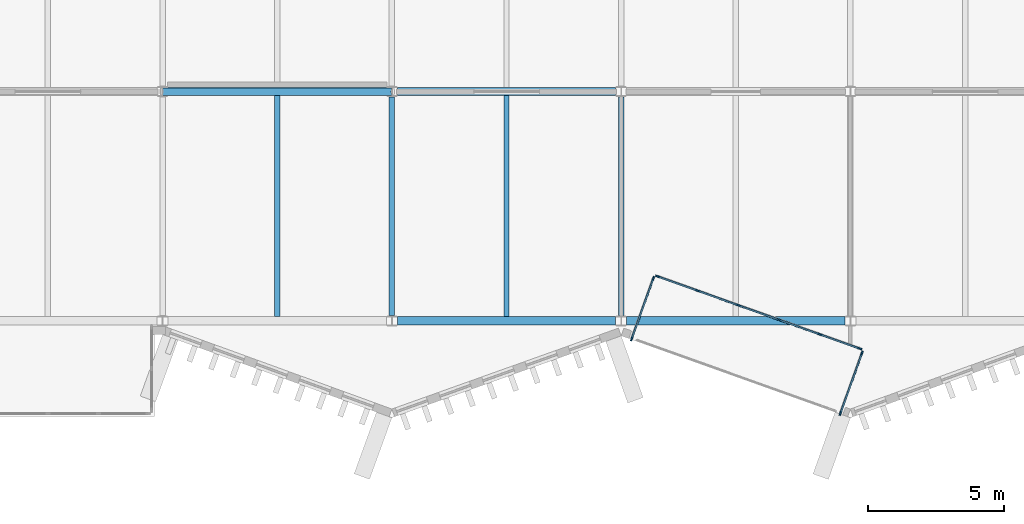
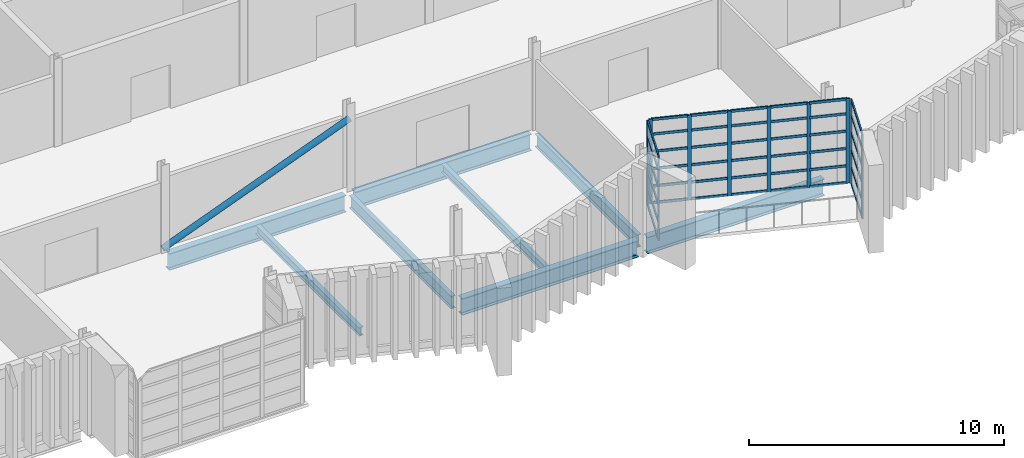
# One storey, part 27 of 96: 53 members, 8 beams, 3 elements without a shape of their own.
"""IFC4 building model written with IfcOpenShell, lengths in metres."""

from ifc_helpers import new_model, si_unit, direction, frame, origin, origin_2d, place, context, subcontext, project, spatial, rectangle, hollow_circle, i_section, extrude, material, layer, layer_set, material_profile, profile_set, type_object, element, aggregate, save


model = new_model("IFC4")

# Units and contexts
model_context = context("Model", 3, precision=1e-05, world=origin(), true_north=direction((0.0, 1.0)))
body_context = subcontext(model_context, "Body", "Model", "MODEL_VIEW")
ifc_project = project(units=[si_unit("LENGTHUNIT", "METRE"), si_unit("AREAUNIT", "SQUARE_METRE"), si_unit("VOLUMEUNIT", "CUBIC_METRE"), si_unit("PLANEANGLEUNIT", "RADIAN"), si_unit("MASSUNIT", "GRAM", prefix="KILO")], contexts=[model_context])

# Site, building, storey
site_placement = place(None, origin())
site = spatial("IfcSite", under=ifc_project, at=site_placement, CompositionType="ELEMENT")
building_placement = place(site_placement, origin())
building = spatial("IfcBuilding", under=site, at=building_placement, Name="Cresset Court Congress Hotel", CompositionType="ELEMENT")
storey_placement = place(building_placement, frame((0.0, 0.0, 6.0)))
storey = spatial("IfcBuildingStorey", under=building, at=storey_placement, Name="L01", CompositionType="ELEMENT", Elevation=6.0)

# Curtain wall, members
ifc_material_1 = material(Name="Aluminium frame with double glazing", Category="aluminium")
ifc_layer = layer(ifc_material_1, 0.199951171875)
ifc_layer_set = layer_set([ifc_layer], Name="Glazed box curtain wall 1680 module")
curtain_wall_type = type_object("IfcCurtainWallType", Name="Glazed box curtain wall 1680 module", PredefinedType="NOTDEFINED", material=ifc_layer_set)
curtain_wall_1_placement = place(storey_placement, origin())
curtain_wall_1 = element("IfcCurtainWall", 1, at=curtain_wall_1_placement, inside=storey, type_object=curtain_wall_type, Name="Glazed box S0115 front", PredefinedType="NOTDEFINED")
ifc_material_2 = material(Name="Aluminium", Category="aluminium")
ifc_material_profile_1 = material_profile(ifc_material_2, rectangle(XDim=0.06005859375, YDim=0.159912109375, at=origin_2d()), Name="Box mullion 60x160")
ifc_profile_set_1 = profile_set([ifc_material_profile_1], Name="Aluminium")
member_type_1 = type_object("IfcMemberType", Name="Box mullion 60x160", PredefinedType="MULLION", material=ifc_profile_set_1)
member_1_placement = place(storey_placement, frame((118.93994140625, 1.6259765625, 0.0), z_axis=(0.0, 0.0, 1.0), x_axis=(0.336336396981, 0.941741911601, 0.0)))
member_1 = element("IfcMember", 2, at=member_1_placement, type_object=member_type_1, Name="B-X1 mullion 1", PredefinedType="MULLION", context=body_context, shape_type="SweptSolid", body=[
    extrude(rectangle(XDim=0.06005859375, YDim=0.159912109375, at=origin_2d()), origin(), (0.0, 0.0, 1.0), 4.050048828125),
])
member_2_placement = place(storey_placement, frame((120.4033203125, 1.103515625, 0.0), z_axis=(0.0, 0.0, 1.0), x_axis=(0.336336396981, 0.941741911601, 0.0)))
member_2 = element("IfcMember", 3, at=member_2_placement, type_object=member_type_1, Name="B-X1 mullion 2", PredefinedType="MULLION", context=body_context, shape_type="SweptSolid", body=[
    extrude(rectangle(XDim=0.06005859375, YDim=0.159912109375, at=origin_2d()), origin(), (0.0, 0.0, 1.0), 4.050048828125),
])
member_3_placement = place(storey_placement, frame((121.89501953125, 0.57080078125, 0.0), z_axis=(0.0, 0.0, 1.0), x_axis=(0.336336396981, 0.941741911601, 0.0)))
member_3 = element("IfcMember", 4, at=member_3_placement, type_object=member_type_1, Name="B-X1 mullion 3", PredefinedType="MULLION", context=body_context, shape_type="SweptSolid", body=[
    extrude(rectangle(XDim=0.06005859375, YDim=0.159912109375, at=origin_2d()), origin(), (0.0, 0.0, 1.0), 4.050048828125),
])
member_4_placement = place(storey_placement, frame((123.38671875, 0.0380859375, 0.0), z_axis=(0.0, 0.0, 1.0), x_axis=(0.336336396981, 0.941741911601, 0.0)))
member_4 = element("IfcMember", 5, at=member_4_placement, type_object=member_type_1, Name="B-X1 mullion 4", PredefinedType="MULLION", context=body_context, shape_type="SweptSolid", body=[
    extrude(rectangle(XDim=0.06005859375, YDim=0.159912109375, at=origin_2d()), origin(), (0.0, 0.0, 1.0), 4.050048828125),
])
member_5_placement = place(storey_placement, frame((124.87841796875, -0.49462890625, 0.0), z_axis=(0.0, 0.0, 1.0), x_axis=(0.336336396981, 0.941741911601, 0.0)))
member_5 = element("IfcMember", 6, at=member_5_placement, type_object=member_type_1, Name="B-X1 mullion 5", PredefinedType="MULLION", context=body_context, shape_type="SweptSolid", body=[
    extrude(rectangle(XDim=0.06005859375, YDim=0.159912109375, at=origin_2d()), origin(), (0.0, 0.0, 1.0), 4.050048828125),
])
member_6_placement = place(storey_placement, frame((126.341796875, -1.017333984375, 0.0), z_axis=(0.0, 0.0, 1.0), x_axis=(0.336336396981, 0.941741911601, 0.0)))
member_6 = element("IfcMember", 7, at=member_6_placement, type_object=member_type_1, Name="B-X1 mullion 6", PredefinedType="MULLION", context=body_context, shape_type="SweptSolid", body=[
    extrude(rectangle(XDim=0.06005859375, YDim=0.159912109375, at=origin_2d()), origin(), (0.0, 0.0, 1.0), 4.050048828125),
])

curtain_wall_2_placement = place(storey_placement, origin())
curtain_wall_2 = element("IfcCurtainWall", 8, at=curtain_wall_2_placement, inside=storey, type_object=curtain_wall_type, Name="Glazed box S0115 side", PredefinedType="NOTDEFINED")
member_7_placement = place(storey_placement, frame((117.98681640625, -0.65625, 0.0), z_axis=(0.0, 0.0, 1.0), x_axis=(-0.941741911707, 0.336336396685, 0.0)))
member_7 = element("IfcMember", 9, at=member_7_placement, type_object=member_type_1, Name="B-X1 mullion 1", PredefinedType="MULLION", context=body_context, shape_type="SweptSolid", body=[
    extrude(rectangle(XDim=0.06005859375, YDim=0.159912109375, at=origin_2d()), origin(), (0.0, 0.0, 1.0), 4.050048828125),
])
member_8_placement = place(storey_placement, frame((118.77392578125, 1.54736328125, 0.0), z_axis=(0.0, 0.0, 1.0), x_axis=(-0.941741911707, 0.336336396685, 0.0)))
member_8 = element("IfcMember", 10, at=member_8_placement, type_object=member_type_1, Name="B-X1 mullion 2", PredefinedType="MULLION", context=body_context, shape_type="SweptSolid", body=[
    extrude(rectangle(XDim=0.06005859375, YDim=0.159912109375, at=origin_2d()), origin(), (0.0, 0.0, 1.0), 4.050048828125),
])

curtain_wall_3_placement = place(storey_placement, origin())
curtain_wall_3 = element("IfcCurtainWall", 11, at=curtain_wall_3_placement, inside=storey, type_object=curtain_wall_type, Name="Glazed box S0115 side", PredefinedType="NOTDEFINED")
member_9_placement = place(storey_placement, frame((125.63330078125, -3.38720703125, 0.0), z_axis=(0.0, 0.0, 1.0), x_axis=(-0.941741911578, 0.336336397047, 0.0)))
member_9 = element("IfcMember", 12, at=member_9_placement, type_object=member_type_1, Name="B-X1 mullion 1", PredefinedType="MULLION", context=body_context, shape_type="SweptSolid", body=[
    extrude(rectangle(XDim=0.06005859375, YDim=0.159912109375, at=origin_2d()), origin(), (0.0, 0.0, 1.0), 4.050048828125),
])
member_10_placement = place(storey_placement, frame((126.42041015625, -1.18359375, 0.0), z_axis=(0.0, 0.0, 1.0), x_axis=(-0.941741911578, 0.336336397047, 0.0)))
member_10 = element("IfcMember", 13, at=member_10_placement, type_object=member_type_1, Name="B-X1 mullion 2", PredefinedType="MULLION", context=body_context, shape_type="SweptSolid", body=[
    extrude(rectangle(XDim=0.06005859375, YDim=0.159912109375, at=origin_2d()), origin(), (0.0, 0.0, 1.0), 4.050048828125),
])

# Member
ifc_material_3 = material(Name="Aluminium", Category="aluminium")
ifc_material_profile_2 = material_profile(ifc_material_3, rectangle(XDim=0.06005859375, YDim=0.1201171875, at=origin_2d()), Name="Box transom 60x120")
ifc_profile_set_2 = profile_set([ifc_material_profile_2], Name="Aluminium")
member_type_2 = type_object("IfcMemberType", Name="Box transom 60x120", PredefinedType="USERDEFINED", material=ifc_profile_set_2)
member_11_placement = place(storey_placement, frame((118.96826171875, 1.615966796875, 0.030029296875), z_axis=(0.941734515945, -0.336357104098, 0.0), x_axis=(0.336357104098, 0.941734515945, 0.0)))
member_11 = element("IfcMember", 14, at=member_11_placement, type_object=member_type_2, Name="B-X1 transom 1.1", ObjectType="TRANSOM", PredefinedType="USERDEFINED", context=body_context, shape_type="SweptSolid", body=[
    extrude(rectangle(XDim=0.06005859375, YDim=0.1201171875, at=origin_2d()), origin(), (0.0, 0.0, 1.0), 1.49365234375),
])

member_12_placement = place(storey_placement, frame((118.96826171875, 1.615966796875, 0.830078125), z_axis=(0.941734515945, -0.336357104098, 0.0), x_axis=(0.336357104098, 0.941734515945, 0.0)))
member_12 = element("IfcMember", 15, at=member_12_placement, type_object=member_type_2, Name="B-X1 transom 1.2", ObjectType="TRANSOM", PredefinedType="USERDEFINED", context=body_context, shape_type="SweptSolid", body=[
    extrude(rectangle(XDim=0.06005859375, YDim=0.1201171875, at=origin_2d()), origin(), (0.0, 0.0, 1.0), 1.49365234375),
])

member_13_placement = place(storey_placement, frame((118.96826171875, 1.615966796875, 1.659912109375), z_axis=(0.941734515945, -0.336357104098, 0.0), x_axis=(0.336357104098, 0.941734515945, 0.0)))
member_13 = element("IfcMember", 16, at=member_13_placement, type_object=member_type_2, Name="B-X1 transom 1.3", ObjectType="TRANSOM", PredefinedType="USERDEFINED", context=body_context, shape_type="SweptSolid", body=[
    extrude(rectangle(XDim=0.06005859375, YDim=0.1201171875, at=origin_2d()), origin(), (0.0, 0.0, 1.0), 1.49365234375),
])

member_14_placement = place(storey_placement, frame((118.96826171875, 1.615966796875, 2.489990234375), z_axis=(0.941734515945, -0.336357104098, 0.0), x_axis=(0.336357104098, 0.941734515945, 0.0)))
member_14 = element("IfcMember", 17, at=member_14_placement, type_object=member_type_2, Name="B-X1 transom 1.4", ObjectType="TRANSOM", PredefinedType="USERDEFINED", context=body_context, shape_type="SweptSolid", body=[
    extrude(rectangle(XDim=0.06005859375, YDim=0.1201171875, at=origin_2d()), origin(), (0.0, 0.0, 1.0), 1.49365234375),
])

member_15_placement = place(storey_placement, frame((118.96826171875, 1.615966796875, 3.320068359375), z_axis=(0.941734515945, -0.336357104098, 0.0), x_axis=(0.336357104098, 0.941734515945, 0.0)))
member_15 = element("IfcMember", 18, at=member_15_placement, type_object=member_type_2, Name="B-X1 transom 1.5", ObjectType="TRANSOM", PredefinedType="USERDEFINED", context=body_context, shape_type="SweptSolid", body=[
    extrude(rectangle(XDim=0.06005859375, YDim=0.1201171875, at=origin_2d()), origin(), (0.0, 0.0, 1.0), 1.49365234375),
])

member_16_placement = place(storey_placement, frame((118.96826171875, 1.615966796875, 4.02001953125), z_axis=(0.941734515945, -0.336357104098, 0.0), x_axis=(0.336357104098, 0.941734515945, 0.0)))
member_16 = element("IfcMember", 19, at=member_16_placement, type_object=member_type_2, Name="B-X1 transom 1.6", ObjectType="TRANSOM", PredefinedType="USERDEFINED", context=body_context, shape_type="SweptSolid", body=[
    extrude(rectangle(XDim=0.06005859375, YDim=0.1201171875, at=origin_2d()), origin(), (0.0, 0.0, 1.0), 1.49365234375),
])

member_17_placement = place(storey_placement, frame((120.431640625, 1.09326171875, 0.030029296875), z_axis=(0.941756410009, -0.336295798675, 0.0), x_axis=(0.336295798675, 0.941756410009, 0.0)))
member_17 = element("IfcMember", 20, at=member_17_placement, type_object=member_type_2, Name="B-X1 transom 2.1", ObjectType="TRANSOM", PredefinedType="USERDEFINED", context=body_context, shape_type="SweptSolid", body=[
    extrude(rectangle(XDim=0.06005859375, YDim=0.1201171875, at=origin_2d()), origin(), (0.0, 0.0, 1.0), 1.52392578125),
])

member_18_placement = place(storey_placement, frame((120.431640625, 1.09326171875, 0.830078125), z_axis=(0.941756410009, -0.336295798675, 0.0), x_axis=(0.336295798675, 0.941756410009, 0.0)))
member_18 = element("IfcMember", 21, at=member_18_placement, type_object=member_type_2, Name="B-X1 transom 2.2", ObjectType="TRANSOM", PredefinedType="USERDEFINED", context=body_context, shape_type="SweptSolid", body=[
    extrude(rectangle(XDim=0.06005859375, YDim=0.1201171875, at=origin_2d()), origin(), (0.0, 0.0, 1.0), 1.52392578125),
])

member_19_placement = place(storey_placement, frame((120.431640625, 1.09326171875, 1.659912109375), z_axis=(0.941756410009, -0.336295798675, 0.0), x_axis=(0.336295798675, 0.941756410009, 0.0)))
member_19 = element("IfcMember", 22, at=member_19_placement, type_object=member_type_2, Name="B-X1 transom 2.3", ObjectType="TRANSOM", PredefinedType="USERDEFINED", context=body_context, shape_type="SweptSolid", body=[
    extrude(rectangle(XDim=0.06005859375, YDim=0.1201171875, at=origin_2d()), origin(), (0.0, 0.0, 1.0), 1.52392578125),
])

member_20_placement = place(storey_placement, frame((120.431640625, 1.09326171875, 2.489990234375), z_axis=(0.941756410009, -0.336295798675, 0.0), x_axis=(0.336295798675, 0.941756410009, 0.0)))
member_20 = element("IfcMember", 23, at=member_20_placement, type_object=member_type_2, Name="B-X1 transom 2.4", ObjectType="TRANSOM", PredefinedType="USERDEFINED", context=body_context, shape_type="SweptSolid", body=[
    extrude(rectangle(XDim=0.06005859375, YDim=0.1201171875, at=origin_2d()), origin(), (0.0, 0.0, 1.0), 1.52392578125),
])

member_21_placement = place(storey_placement, frame((120.431640625, 1.09326171875, 3.320068359375), z_axis=(0.941756410009, -0.336295798675, 0.0), x_axis=(0.336295798675, 0.941756410009, 0.0)))
member_21 = element("IfcMember", 24, at=member_21_placement, type_object=member_type_2, Name="B-X1 transom 2.5", ObjectType="TRANSOM", PredefinedType="USERDEFINED", context=body_context, shape_type="SweptSolid", body=[
    extrude(rectangle(XDim=0.06005859375, YDim=0.1201171875, at=origin_2d()), origin(), (0.0, 0.0, 1.0), 1.52392578125),
])

member_22_placement = place(storey_placement, frame((120.431640625, 1.09326171875, 4.02001953125), z_axis=(0.941756410009, -0.336295798675, 0.0), x_axis=(0.336295798675, 0.941756410009, 0.0)))
member_22 = element("IfcMember", 25, at=member_22_placement, type_object=member_type_2, Name="B-X1 transom 2.6", ObjectType="TRANSOM", PredefinedType="USERDEFINED", context=body_context, shape_type="SweptSolid", body=[
    extrude(rectangle(XDim=0.06005859375, YDim=0.1201171875, at=origin_2d()), origin(), (0.0, 0.0, 1.0), 1.52392578125),
])

member_23_placement = place(storey_placement, frame((121.92333984375, 0.560546875, 0.030029296875), z_axis=(0.941756410009, -0.336295798675, 0.0), x_axis=(0.336295798675, 0.941756410009, 0.0)))
member_23 = element("IfcMember", 26, at=member_23_placement, type_object=member_type_2, Name="B-X1 transom 3.1", ObjectType="TRANSOM", PredefinedType="USERDEFINED", context=body_context, shape_type="SweptSolid", body=[
    extrude(rectangle(XDim=0.06005859375, YDim=0.1201171875, at=origin_2d()), origin(), (0.0, 0.0, 1.0), 1.52392578125),
])

member_24_placement = place(storey_placement, frame((121.92333984375, 0.560546875, 0.830078125), z_axis=(0.941756410009, -0.336295798675, 0.0), x_axis=(0.336295798675, 0.941756410009, 0.0)))
member_24 = element("IfcMember", 27, at=member_24_placement, type_object=member_type_2, Name="B-X1 transom 3.2", ObjectType="TRANSOM", PredefinedType="USERDEFINED", context=body_context, shape_type="SweptSolid", body=[
    extrude(rectangle(XDim=0.06005859375, YDim=0.1201171875, at=origin_2d()), origin(), (0.0, 0.0, 1.0), 1.52392578125),
])

member_25_placement = place(storey_placement, frame((121.92333984375, 0.560546875, 1.659912109375), z_axis=(0.941756410009, -0.336295798675, 0.0), x_axis=(0.336295798675, 0.941756410009, 0.0)))
member_25 = element("IfcMember", 28, at=member_25_placement, type_object=member_type_2, Name="B-X1 transom 3.3", ObjectType="TRANSOM", PredefinedType="USERDEFINED", context=body_context, shape_type="SweptSolid", body=[
    extrude(rectangle(XDim=0.06005859375, YDim=0.1201171875, at=origin_2d()), origin(), (0.0, 0.0, 1.0), 1.52392578125),
])

member_26_placement = place(storey_placement, frame((121.92333984375, 0.560546875, 2.489990234375), z_axis=(0.941756410009, -0.336295798675, 0.0), x_axis=(0.336295798675, 0.941756410009, 0.0)))
member_26 = element("IfcMember", 29, at=member_26_placement, type_object=member_type_2, Name="B-X1 transom 3.4", ObjectType="TRANSOM", PredefinedType="USERDEFINED", context=body_context, shape_type="SweptSolid", body=[
    extrude(rectangle(XDim=0.06005859375, YDim=0.1201171875, at=origin_2d()), origin(), (0.0, 0.0, 1.0), 1.52392578125),
])

member_27_placement = place(storey_placement, frame((121.92333984375, 0.560546875, 3.320068359375), z_axis=(0.941756410009, -0.336295798675, 0.0), x_axis=(0.336295798675, 0.941756410009, 0.0)))
member_27 = element("IfcMember", 30, at=member_27_placement, type_object=member_type_2, Name="B-X1 transom 3.5", ObjectType="TRANSOM", PredefinedType="USERDEFINED", context=body_context, shape_type="SweptSolid", body=[
    extrude(rectangle(XDim=0.06005859375, YDim=0.1201171875, at=origin_2d()), origin(), (0.0, 0.0, 1.0), 1.52392578125),
])

member_28_placement = place(storey_placement, frame((121.92333984375, 0.560546875, 4.02001953125), z_axis=(0.941756410009, -0.336295798675, 0.0), x_axis=(0.336295798675, 0.941756410009, 0.0)))
member_28 = element("IfcMember", 31, at=member_28_placement, type_object=member_type_2, Name="B-X1 transom 3.6", ObjectType="TRANSOM", PredefinedType="USERDEFINED", context=body_context, shape_type="SweptSolid", body=[
    extrude(rectangle(XDim=0.06005859375, YDim=0.1201171875, at=origin_2d()), origin(), (0.0, 0.0, 1.0), 1.52392578125),
])

member_29_placement = place(storey_placement, frame((123.4150390625, 0.02783203125, 0.030029296875), z_axis=(0.941756410009, -0.336295798675, 0.0), x_axis=(0.336295798675, 0.941756410009, 0.0)))
member_29 = element("IfcMember", 32, at=member_29_placement, type_object=member_type_2, Name="B-X1 transom 4.1", ObjectType="TRANSOM", PredefinedType="USERDEFINED", context=body_context, shape_type="SweptSolid", body=[
    extrude(rectangle(XDim=0.06005859375, YDim=0.1201171875, at=origin_2d()), origin(), (0.0, 0.0, 1.0), 1.52392578125),
])

member_30_placement = place(storey_placement, frame((123.4150390625, 0.02783203125, 0.830078125), z_axis=(0.941756410009, -0.336295798675, 0.0), x_axis=(0.336295798675, 0.941756410009, 0.0)))
member_30 = element("IfcMember", 33, at=member_30_placement, type_object=member_type_2, Name="B-X1 transom 4.2", ObjectType="TRANSOM", PredefinedType="USERDEFINED", context=body_context, shape_type="SweptSolid", body=[
    extrude(rectangle(XDim=0.06005859375, YDim=0.1201171875, at=origin_2d()), origin(), (0.0, 0.0, 1.0), 1.52392578125),
])

member_31_placement = place(storey_placement, frame((123.4150390625, 0.02783203125, 1.659912109375), z_axis=(0.941756410009, -0.336295798675, 0.0), x_axis=(0.336295798675, 0.941756410009, 0.0)))
member_31 = element("IfcMember", 34, at=member_31_placement, type_object=member_type_2, Name="B-X1 transom 4.3", ObjectType="TRANSOM", PredefinedType="USERDEFINED", context=body_context, shape_type="SweptSolid", body=[
    extrude(rectangle(XDim=0.06005859375, YDim=0.1201171875, at=origin_2d()), origin(), (0.0, 0.0, 1.0), 1.52392578125),
])

member_32_placement = place(storey_placement, frame((123.4150390625, 0.02783203125, 2.489990234375), z_axis=(0.941756410009, -0.336295798675, 0.0), x_axis=(0.336295798675, 0.941756410009, 0.0)))
member_32 = element("IfcMember", 35, at=member_32_placement, type_object=member_type_2, Name="B-X1 transom 4.4", ObjectType="TRANSOM", PredefinedType="USERDEFINED", context=body_context, shape_type="SweptSolid", body=[
    extrude(rectangle(XDim=0.06005859375, YDim=0.1201171875, at=origin_2d()), origin(), (0.0, 0.0, 1.0), 1.52392578125),
])

member_33_placement = place(storey_placement, frame((123.4150390625, 0.02783203125, 3.320068359375), z_axis=(0.941756410009, -0.336295798675, 0.0), x_axis=(0.336295798675, 0.941756410009, 0.0)))
member_33 = element("IfcMember", 36, at=member_33_placement, type_object=member_type_2, Name="B-X1 transom 4.5", ObjectType="TRANSOM", PredefinedType="USERDEFINED", context=body_context, shape_type="SweptSolid", body=[
    extrude(rectangle(XDim=0.06005859375, YDim=0.1201171875, at=origin_2d()), origin(), (0.0, 0.0, 1.0), 1.52392578125),
])

member_34_placement = place(storey_placement, frame((123.4150390625, 0.02783203125, 4.02001953125), z_axis=(0.941756410009, -0.336295798675, 0.0), x_axis=(0.336295798675, 0.941756410009, 0.0)))
member_34 = element("IfcMember", 37, at=member_34_placement, type_object=member_type_2, Name="B-X1 transom 4.6", ObjectType="TRANSOM", PredefinedType="USERDEFINED", context=body_context, shape_type="SweptSolid", body=[
    extrude(rectangle(XDim=0.06005859375, YDim=0.1201171875, at=origin_2d()), origin(), (0.0, 0.0, 1.0), 1.52392578125),
])

member_35_placement = place(storey_placement, frame((124.906494140625, -0.5048828125, 0.030029296875), z_axis=(0.941753002509, -0.336305340823, 0.0), x_axis=(0.336305340823, 0.941753002509, 0.0)))
member_35 = element("IfcMember", 38, at=member_35_placement, type_object=member_type_2, Name="B-X1 transom 5.1", ObjectType="TRANSOM", PredefinedType="USERDEFINED", context=body_context, shape_type="SweptSolid", body=[
    extrude(rectangle(XDim=0.06005859375, YDim=0.1201171875, at=origin_2d()), origin(), (0.0, 0.0, 1.0), 1.493896484375),
])

member_36_placement = place(storey_placement, frame((124.906494140625, -0.5048828125, 0.830078125), z_axis=(0.941753002509, -0.336305340823, 0.0), x_axis=(0.336305340823, 0.941753002509, 0.0)))
member_36 = element("IfcMember", 39, at=member_36_placement, type_object=member_type_2, Name="B-X1 transom 5.2", ObjectType="TRANSOM", PredefinedType="USERDEFINED", context=body_context, shape_type="SweptSolid", body=[
    extrude(rectangle(XDim=0.06005859375, YDim=0.1201171875, at=origin_2d()), origin(), (0.0, 0.0, 1.0), 1.493896484375),
])

member_37_placement = place(storey_placement, frame((124.906494140625, -0.5048828125, 1.659912109375), z_axis=(0.941753002509, -0.336305340823, 0.0), x_axis=(0.336305340823, 0.941753002509, 0.0)))
member_37 = element("IfcMember", 40, at=member_37_placement, type_object=member_type_2, Name="B-X1 transom 5.3", ObjectType="TRANSOM", PredefinedType="USERDEFINED", context=body_context, shape_type="SweptSolid", body=[
    extrude(rectangle(XDim=0.06005859375, YDim=0.1201171875, at=origin_2d()), origin(), (0.0, 0.0, 1.0), 1.493896484375),
])

member_38_placement = place(storey_placement, frame((124.906494140625, -0.5048828125, 2.489990234375), z_axis=(0.941753002509, -0.336305340823, 0.0), x_axis=(0.336305340823, 0.941753002509, 0.0)))
member_38 = element("IfcMember", 41, at=member_38_placement, type_object=member_type_2, Name="B-X1 transom 5.4", ObjectType="TRANSOM", PredefinedType="USERDEFINED", context=body_context, shape_type="SweptSolid", body=[
    extrude(rectangle(XDim=0.06005859375, YDim=0.1201171875, at=origin_2d()), origin(), (0.0, 0.0, 1.0), 1.493896484375),
])

member_39_placement = place(storey_placement, frame((124.906494140625, -0.5048828125, 3.320068359375), z_axis=(0.941753002509, -0.336305340823, 0.0), x_axis=(0.336305340823, 0.941753002509, 0.0)))
member_39 = element("IfcMember", 42, at=member_39_placement, type_object=member_type_2, Name="B-X1 transom 5.5", ObjectType="TRANSOM", PredefinedType="USERDEFINED", context=body_context, shape_type="SweptSolid", body=[
    extrude(rectangle(XDim=0.06005859375, YDim=0.1201171875, at=origin_2d()), origin(), (0.0, 0.0, 1.0), 1.493896484375),
])

member_40_placement = place(storey_placement, frame((124.906494140625, -0.5048828125, 4.02001953125), z_axis=(0.941753002509, -0.336305340823, 0.0), x_axis=(0.336305340823, 0.941753002509, 0.0)))
member_40 = element("IfcMember", 43, at=member_40_placement, type_object=member_type_2, Name="B-X1 transom 5.6", ObjectType="TRANSOM", PredefinedType="USERDEFINED", context=body_context, shape_type="SweptSolid", body=[
    extrude(rectangle(XDim=0.06005859375, YDim=0.1201171875, at=origin_2d()), origin(), (0.0, 0.0, 1.0), 1.493896484375),
])

aggregate(curtain_wall_1, [member_1, member_2, member_3, member_4, member_5, member_6, member_11, member_12, member_13, member_14, member_15, member_16, member_17, member_18, member_19, member_20, member_21, member_22, member_23, member_24, member_25, member_26, member_27, member_28, member_29, member_30, member_31, member_32, member_33, member_34, member_35, member_36, member_37, member_38, member_39, member_40])

member_41_placement = place(storey_placement, frame((117.996826171875, -0.6279296875, 0.030029296875), z_axis=(0.336363532289, 0.941732219979, 0.0), x_axis=(-0.941732219979, 0.336363532289, 0.0)))
member_41 = element("IfcMember", 44, at=member_41_placement, type_object=member_type_2, Name="B-X1 transom 1.1", ObjectType="TRANSOM", PredefinedType="USERDEFINED", context=body_context, shape_type="SweptSolid", body=[
    extrude(rectangle(XDim=0.06005859375, YDim=0.1201171875, at=origin_2d()), origin(), (0.0, 0.0, 1.0), 2.27978515625),
])

member_42_placement = place(storey_placement, frame((117.996826171875, -0.6279296875, 0.830078125), z_axis=(0.336363532289, 0.941732219979, 0.0), x_axis=(-0.941732219979, 0.336363532289, 0.0)))
member_42 = element("IfcMember", 45, at=member_42_placement, type_object=member_type_2, Name="B-X1 transom 1.2", ObjectType="TRANSOM", PredefinedType="USERDEFINED", context=body_context, shape_type="SweptSolid", body=[
    extrude(rectangle(XDim=0.06005859375, YDim=0.1201171875, at=origin_2d()), origin(), (0.0, 0.0, 1.0), 2.27978515625),
])

member_43_placement = place(storey_placement, frame((117.996826171875, -0.6279296875, 1.659912109375), z_axis=(0.336363532289, 0.941732219979, 0.0), x_axis=(-0.941732219979, 0.336363532289, 0.0)))
member_43 = element("IfcMember", 46, at=member_43_placement, type_object=member_type_2, Name="B-X1 transom 1.3", ObjectType="TRANSOM", PredefinedType="USERDEFINED", context=body_context, shape_type="SweptSolid", body=[
    extrude(rectangle(XDim=0.06005859375, YDim=0.1201171875, at=origin_2d()), origin(), (0.0, 0.0, 1.0), 2.27978515625),
])

member_44_placement = place(storey_placement, frame((117.996826171875, -0.6279296875, 2.489990234375), z_axis=(0.336363532289, 0.941732219979, 0.0), x_axis=(-0.941732219979, 0.336363532289, 0.0)))
member_44 = element("IfcMember", 47, at=member_44_placement, type_object=member_type_2, Name="B-X1 transom 1.4", ObjectType="TRANSOM", PredefinedType="USERDEFINED", context=body_context, shape_type="SweptSolid", body=[
    extrude(rectangle(XDim=0.06005859375, YDim=0.1201171875, at=origin_2d()), origin(), (0.0, 0.0, 1.0), 2.27978515625),
])

member_45_placement = place(storey_placement, frame((117.996826171875, -0.6279296875, 3.320068359375), z_axis=(0.336363532289, 0.941732219979, 0.0), x_axis=(-0.941732219979, 0.336363532289, 0.0)))
member_45 = element("IfcMember", 48, at=member_45_placement, type_object=member_type_2, Name="B-X1 transom 1.5", ObjectType="TRANSOM", PredefinedType="USERDEFINED", context=body_context, shape_type="SweptSolid", body=[
    extrude(rectangle(XDim=0.06005859375, YDim=0.1201171875, at=origin_2d()), origin(), (0.0, 0.0, 1.0), 2.27978515625),
])

member_46_placement = place(storey_placement, frame((117.996826171875, -0.6279296875, 4.02001953125), z_axis=(0.336363532289, 0.941732219979, 0.0), x_axis=(-0.941732219979, 0.336363532289, 0.0)))
member_46 = element("IfcMember", 49, at=member_46_placement, type_object=member_type_2, Name="B-X1 transom 1.6", ObjectType="TRANSOM", PredefinedType="USERDEFINED", context=body_context, shape_type="SweptSolid", body=[
    extrude(rectangle(XDim=0.06005859375, YDim=0.1201171875, at=origin_2d()), origin(), (0.0, 0.0, 1.0), 2.27978515625),
])

aggregate(curtain_wall_2, [member_7, member_8, member_41, member_42, member_43, member_44, member_45, member_46])

member_47_placement = place(storey_placement, frame((125.6435546875, -3.35888671875, 0.030029296875), z_axis=(0.336329613816, 0.941744334132, 0.0), x_axis=(-0.941744334132, 0.336329613816, 0.0)))
member_47 = element("IfcMember", 50, at=member_47_placement, type_object=member_type_2, Name="B-X1 transom 1.1", ObjectType="TRANSOM", PredefinedType="USERDEFINED", context=body_context, shape_type="SweptSolid", body=[
    extrude(rectangle(XDim=0.06005859375, YDim=0.1201171875, at=origin_2d()), origin(), (0.0, 0.0, 1.0), 2.280029296875),
])

member_48_placement = place(storey_placement, frame((125.6435546875, -3.35888671875, 0.830078125), z_axis=(0.336329613816, 0.941744334132, 0.0), x_axis=(-0.941744334132, 0.336329613816, 0.0)))
member_48 = element("IfcMember", 51, at=member_48_placement, type_object=member_type_2, Name="B-X1 transom 1.2", ObjectType="TRANSOM", PredefinedType="USERDEFINED", context=body_context, shape_type="SweptSolid", body=[
    extrude(rectangle(XDim=0.06005859375, YDim=0.1201171875, at=origin_2d()), origin(), (0.0, 0.0, 1.0), 2.280029296875),
])

member_49_placement = place(storey_placement, frame((125.6435546875, -3.35888671875, 1.659912109375), z_axis=(0.336329613816, 0.941744334132, 0.0), x_axis=(-0.941744334132, 0.336329613816, 0.0)))
member_49 = element("IfcMember", 52, at=member_49_placement, type_object=member_type_2, Name="B-X1 transom 1.3", ObjectType="TRANSOM", PredefinedType="USERDEFINED", context=body_context, shape_type="SweptSolid", body=[
    extrude(rectangle(XDim=0.06005859375, YDim=0.1201171875, at=origin_2d()), origin(), (0.0, 0.0, 1.0), 2.280029296875),
])

member_50_placement = place(storey_placement, frame((125.6435546875, -3.35888671875, 2.489990234375), z_axis=(0.336329613816, 0.941744334132, 0.0), x_axis=(-0.941744334132, 0.336329613816, 0.0)))
member_50 = element("IfcMember", 53, at=member_50_placement, type_object=member_type_2, Name="B-X1 transom 1.4", ObjectType="TRANSOM", PredefinedType="USERDEFINED", context=body_context, shape_type="SweptSolid", body=[
    extrude(rectangle(XDim=0.06005859375, YDim=0.1201171875, at=origin_2d()), origin(), (0.0, 0.0, 1.0), 2.280029296875),
])

member_51_placement = place(storey_placement, frame((125.6435546875, -3.35888671875, 3.320068359375), z_axis=(0.336329613816, 0.941744334132, 0.0), x_axis=(-0.941744334132, 0.336329613816, 0.0)))
member_51 = element("IfcMember", 54, at=member_51_placement, type_object=member_type_2, Name="B-X1 transom 1.5", ObjectType="TRANSOM", PredefinedType="USERDEFINED", context=body_context, shape_type="SweptSolid", body=[
    extrude(rectangle(XDim=0.06005859375, YDim=0.1201171875, at=origin_2d()), origin(), (0.0, 0.0, 1.0), 2.280029296875),
])

member_52_placement = place(storey_placement, frame((125.6435546875, -3.35888671875, 4.02001953125), z_axis=(0.336329613816, 0.941744334132, 0.0), x_axis=(-0.941744334132, 0.336329613816, 0.0)))
member_52 = element("IfcMember", 55, at=member_52_placement, type_object=member_type_2, Name="B-X1 transom 1.6", ObjectType="TRANSOM", PredefinedType="USERDEFINED", context=body_context, shape_type="SweptSolid", body=[
    extrude(rectangle(XDim=0.06005859375, YDim=0.1201171875, at=origin_2d()), origin(), (0.0, 0.0, 1.0), 2.280029296875),
])

aggregate(curtain_wall_3, [member_9, member_10, member_47, member_48, member_49, member_50, member_51, member_52])

# Beams
ifc_material_4 = material(Name="Structural steel Q355B", Category="steel")
ifc_material_profile_3 = material_profile(ifc_material_4, i_section(OverallWidth=0.199951171875, OverallDepth=0.60009765625, WebThickness=0.010986328125, FlangeThickness=0.01708984375, FilletRadius=0.012939453125, at=origin_2d()), Name="HN600x200x11x17")
ifc_profile_set_3 = profile_set([ifc_material_profile_3], Name="Structural steel Q355B")
beam_type_1 = type_object("IfcBeamType", Name="Steel beam HN600x200x11x17", PredefinedType="BEAM", material=ifc_profile_set_3)
for number, where, z_axis, x_axis, name in (
    (56, (109.199951171875, 0.199951171875, -0.449951171875), (0.0, 1.0, 0.0), (-1.0, 0.0, 0.0), "B.by.L01.14A"),
    (57, (117.60009765625, 0.199951171875, -0.449951171875), (0.0, 1.0, 0.0), (-1.0, 0.0, 0.0), "B.by.L01.15A"),
):
    element("IfcBeam", number, at=place(storey_placement, frame(where, z_axis=z_axis, x_axis=x_axis)), inside=storey, type_object=beam_type_1, Name=name, PredefinedType="BEAM", context=body_context, shape_type="SweptSolid", body=[
        extrude(i_section(OverallWidth=0.199951171875, OverallDepth=0.60009765625, WebThickness=0.010986328125, FlangeThickness=0.01708984375, FilletRadius=0.012939453125, at=origin_2d()), origin(), (0.0, 0.0, 1.0), 8.0),
    ])
ifc_material_5 = material(Name="Structural steel Q355B", Category="steel")
ifc_material_profile_4 = material_profile(ifc_material_5, i_section(OverallWidth=0.300048828125, OverallDepth=0.800048828125, WebThickness=0.013916015625, FlangeThickness=0.02587890625, FilletRadius=0.01806640625, at=origin_2d()), Name="HN800x300x14x26")
ifc_profile_set_4 = profile_set([ifc_material_profile_4], Name="Structural steel Q355B")
beam_type_2 = type_object("IfcBeamType", Name="Steel beam HN800x300x14x26", PredefinedType="BEAM", material=ifc_profile_set_4)
for number, where, z_axis, x_axis, name in (
    (58, (109.39990234375, 0.0, -0.550048828125), (1.0, 0.0, 0.0), (0.0, 1.0, 0.0), "B.bx.L01.A14"),
    (59, (117.800048828125, 0.0, -0.550048828125), (1.0, 0.0, 0.0), (0.0, 1.0, 0.0), "B.bx.L01.A15"),
    (60, (101.0, 8.39990234375, -0.550048828125), (1.0, 0.0, 0.0), (0.0, 1.0, 0.0), "B.bx.L01.B13"),
    (61, (109.39990234375, 8.39990234375, -0.550048828125), (1.0, 0.0, 0.0), (0.0, 1.0, 0.0), "B.bx.L01.B14"),
):
    element("IfcBeam", number, at=place(storey_placement, frame(where, z_axis=z_axis, x_axis=x_axis)), inside=storey, type_object=beam_type_2, Name=name, PredefinedType="BEAM", context=body_context, shape_type="SweptSolid", body=[
        extrude(i_section(OverallWidth=0.300048828125, OverallDepth=0.800048828125, WebThickness=0.013916015625, FlangeThickness=0.02587890625, FilletRadius=0.01806640625, at=origin_2d()), origin(), (0.0, 0.0, 1.0), 8.0),
    ])

# Member
ifc_material_6 = material(Name="Structural steel Q355B", Category="steel")
ifc_material_profile_5 = material_profile(ifc_material_6, hollow_circle(Radius=0.136474609375, WallThickness=0.011962890625, at=origin_2d()), Name="CHS273x12")
ifc_profile_set_5 = profile_set([ifc_material_profile_5], Name="Structural steel Q355B")
member_type_3 = type_object("IfcMemberType", Name="Steel brace CHS273x12", PredefinedType="BRACE", material=ifc_profile_set_5)
member_53_placement = place(storey_placement, frame((100.77490234375, 8.39990234375, 0.10009765625), z_axis=(0.932977607671, 0.0, 0.359934415672), x_axis=(0.0, 1.0, 0.0)))
element("IfcMember", 62, at=member_53_placement, inside=storey, type_object=member_type_3, Name="Brace L01 13", PredefinedType="BRACE", context=body_context, shape_type="SweptSolid", body=[
    extrude(hollow_circle(Radius=0.136474609375, WallThickness=0.011962890625, at=origin_2d()), origin(), (0.0, 0.0, 1.0), 9.05712890625),
])

# Beams
ifc_material_7 = material(Name="Structural steel Q355B", Category="steel")
ifc_material_profile_6 = material_profile(ifc_material_7, i_section(OverallWidth=0.199951171875, OverallDepth=0.39990234375, WebThickness=0.008056640625, FlangeThickness=0.012939453125, FilletRadius=0.01611328125, at=origin_2d()), Name="HN400x200x8x13")
ifc_profile_set_6 = profile_set([ifc_material_profile_6], Name="Structural steel Q355B")
beam_type_3 = type_object("IfcBeamType", Name="Steel joist HN400x200x8x13", PredefinedType="JOIST", material=ifc_profile_set_6)
for number, where, z_axis, x_axis, name in (
    (63, (105.0, 0.14990234375, -0.35009765625), (0.0, 1.0, 0.0), (-1.0, 0.0, 0.0), "B.bj.L01.13A"),
    (64, (113.39990234375, 0.14990234375, -0.35009765625), (0.0, 1.0, 0.0), (-1.0, 0.0, 0.0), "B.bj.L01.14A"),
):
    element("IfcBeam", number, at=place(storey_placement, frame(where, z_axis=z_axis, x_axis=x_axis)), inside=storey, type_object=beam_type_3, Name=name, PredefinedType="JOIST", context=body_context, shape_type="SweptSolid", body=[
        extrude(i_section(OverallWidth=0.199951171875, OverallDepth=0.39990234375, WebThickness=0.008056640625, FlangeThickness=0.012939453125, FilletRadius=0.01611328125, at=origin_2d()), origin(), (0.0, 0.0, 1.0), 8.10009765625),
    ])

save(model, "model.ifc")
